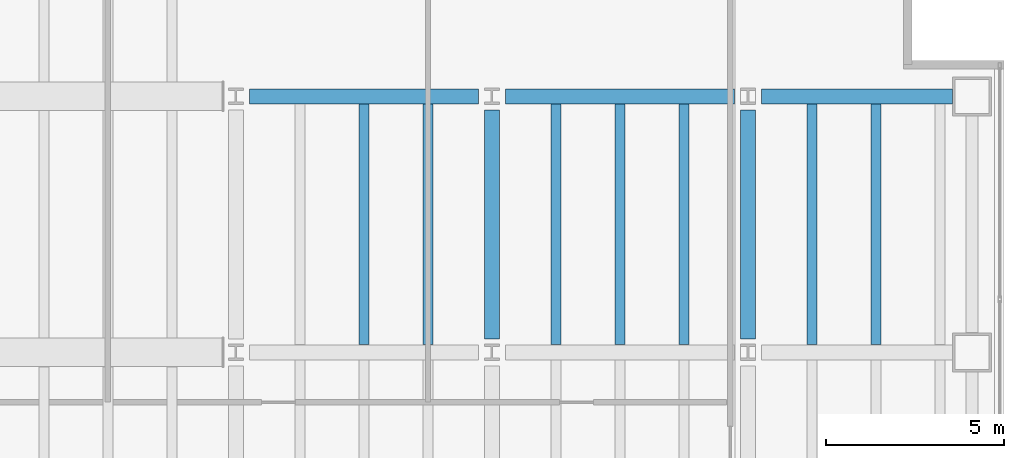
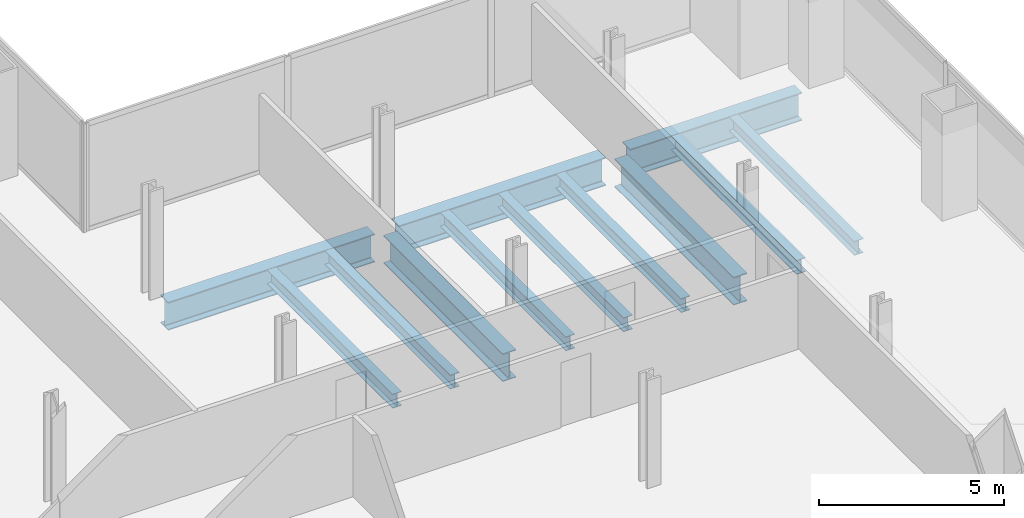
# One storey, part 11 of 24: 12 beams.
"""IFC4 building model written with IfcOpenShell, lengths in metres."""

import ifcopenshell
import ifcopenshell.guid

model = None  # the IFC model being written
_history = None  # IfcOwnerHistory: only IFC2X3 demands one
_inside = {}  # id of a spatial element -> (the spatial element, [elements in it])
_under = {}  # id of a project, library or spatial element -> (it, [spatial elements below it])
_declared = {}  # id of a project -> (the project, [libraries it declares])
_typed = {}  # id of a type object -> (the type object, [elements of that type])
_made_of = {}  # id of a material, layer set ... -> (it, [elements and type objects made of it])


def new_model(schema):
    """Start an empty IFC model of exactly this schema.

    Asked for "IFC4X3", IfcOpenShell would pick the latest addendum, in which some entities
    have other attributes; the version numbers below select the first issue.
    IFC2X3 requires an IfcOwnerHistory on every rooted entity: one is made here for all.
    """
    global model, _history
    if schema == "IFC4X3":
        model = ifcopenshell.file(schema_version=(4, 3, 0, 0))
    else:
        model = ifcopenshell.file(schema=schema)
    _inside.clear()
    _under.clear()
    _declared.clear()
    _typed.clear()
    _made_of.clear()
    _history = None
    if model.schema == "IFC2X3":
        org = make("IfcOrganization", Name="unknown")
        user = make(
            "IfcPersonAndOrganization",
            ThePerson=make("IfcPerson", FamilyName="unknown"),
            TheOrganization=org,
        )
        app = make(
            "IfcApplication",
            ApplicationDeveloper=org,
            Version="unknown",
            ApplicationFullName="unknown",
            ApplicationIdentifier="unknown",
        )
        _history = make(
            "IfcOwnerHistory",
            OwningUser=user,
            OwningApplication=app,
            ChangeAction="ADDED",
            CreationDate=0,
        )
    return model


def make(cls, **values):
    """One entity of the class cls with the attributes given. An attribute that is None is left unset."""
    return model.create_entity(
        cls, **{name: value for name, value in values.items() if value is not None}
    )


def rooted(cls, **values):
    """An entity with a GlobalId (a new one), such as an element, a storey or a relation."""
    return make(cls, GlobalId=ifcopenshell.guid.new(), OwnerHistory=_history, **values)


def si_unit(unit_type, name, prefix=None):
    """IfcSIUnit, for example si_unit("LENGTHUNIT", "METRE", prefix="MILLI")."""
    return make("IfcSIUnit", UnitType=unit_type, Prefix=prefix, Name=name)


def assignment(units):
    """IfcUnitAssignment: the units of a project."""
    return None if units is None else make("IfcUnitAssignment", Units=units)


def point(xyz):
    """IfcCartesianPoint."""
    return None if xyz is None else make("IfcCartesianPoint", Coordinates=xyz)


def direction(xyz):
    """IfcDirection."""
    return None if xyz is None else make("IfcDirection", DirectionRatios=xyz)


def frame(location, z_axis=None, x_axis=None):
    """IfcAxis2Placement3D, a coordinate frame: its origin and axes. An axis left out is left unset."""
    return make(
        "IfcAxis2Placement3D",
        Location=point(location),
        Axis=direction(z_axis),
        RefDirection=direction(x_axis),
    )


def frame_2d(location, x_axis=None):
    """IfcAxis2Placement2D, a coordinate frame in the plane: its origin and x axis."""
    return make(
        "IfcAxis2Placement2D", Location=point(location), RefDirection=direction(x_axis)
    )


def origin():
    """The frame at (0, 0, 0) with its axes left unset."""
    return frame((0.0, 0.0, 0.0))


def origin_2d():
    """The frame at (0, 0) in the plane with its x axis left unset."""
    return frame_2d((0.0, 0.0))


def place(relative_to, where):
    """IfcLocalPlacement: puts the frame where relative to a parent placement (None: the world)."""
    return make(
        "IfcLocalPlacement", PlacementRelTo=relative_to, RelativePlacement=where
    )


def context(
    kind, dimensions, precision=None, world=None, true_north=None, identifier=None
):
    """IfcGeometricRepresentationContext, for example the 3D "Model" context."""
    return make(
        "IfcGeometricRepresentationContext",
        ContextIdentifier=identifier,
        ContextType=kind,
        CoordinateSpaceDimension=dimensions,
        Precision=precision,
        WorldCoordinateSystem=world,
        TrueNorth=true_north,
    )


def subcontext(parent, identifier, kind, view, scale=None):
    """IfcGeometricRepresentationSubContext, for example "Body" below "Model"."""
    return make(
        "IfcGeometricRepresentationSubContext",
        ContextIdentifier=identifier,
        ContextType=kind,
        ParentContext=parent,
        TargetScale=scale,
        TargetView=view,
    )


def project(units=None, contexts=None):
    """IfcProject with its units and contexts."""
    return rooted(
        "IfcProject",
        Name="project",
        RepresentationContexts=contexts,
        UnitsInContext=assignment(units),
    )


def spatial(cls, under=None, at=None, **own):
    """A site, building, storey or space (cls), placed at a placement, below another one or the project."""
    s = rooted(cls, ObjectPlacement=at, **own)
    if under is not None:
        _under.setdefault(under.id(), (under, []))[1].append(s)
    return s


def profile(cls, at=None, kind="AREA", **sizes):
    """A parametric profile (cls). Its sizes go by their IFC names, for example OverallWidth=200.0."""
    return make(cls, ProfileType=kind, Position=at, **sizes)


def i_section(**sizes):
    """IfcIShapeProfileDef."""
    return profile("IfcIShapeProfileDef", **sizes)


def extrude(swept, where, along, depth):
    """IfcExtrudedAreaSolid: the profile swept, set in the frame where, extruded along a direction by depth."""
    return make(
        "IfcExtrudedAreaSolid",
        SweptArea=swept,
        Position=where,
        ExtrudedDirection=direction(along),
        Depth=depth,
    )


def shape(context_of_items, identifier, shape_type, items):
    """IfcShapeRepresentation: the items that make up one representation, for example the "Body"."""
    return make(
        "IfcShapeRepresentation",
        ContextOfItems=context_of_items,
        RepresentationIdentifier=identifier,
        RepresentationType=shape_type,
        Items=items,
    )


def material(Name=None, Category=None):
    """IfcMaterial."""
    return make("IfcMaterial", Name=Name, Category=Category)


def material_profile(
    of_material, cross_section, Name=None, Category=None, Priority=None
):
    """IfcMaterialProfile: a cross section and its material."""
    return make(
        "IfcMaterialProfile",
        Name=Name,
        Material=of_material,
        Profile=cross_section,
        Priority=Priority,
        Category=Category,
    )


def profile_set(profiles, Name=None, composite=None):
    """IfcMaterialProfileSet."""
    return make(
        "IfcMaterialProfileSet",
        Name=Name,
        MaterialProfiles=profiles,
        CompositeProfile=composite,
    )


def made_of(thing, what):
    """Note that an element or type object is made of a material, layer set ...; save() writes the relation."""
    if what is not None:
        _made_of.setdefault(what.id(), (what, []))[1].append(thing)
    return thing


def type_object(cls, material=None, **own):
    """A type object (cls), such as IfcWallType, which elements share."""
    return made_of(rooted(cls, **own), material)


def element(
    cls,
    number,
    at=None,
    inside=None,
    cuts=None,
    type_object=None,
    material=None,
    context=None,
    identifier="Body",
    shape_type=None,
    held_by="IfcProductDefinitionShape",
    body=None,
    shapes=None,
    **own,
):
    """One element of the class cls, such as IfcWall. Its Tag is "e" and its number.

    at: its placement. inside: the storey or other place that contains it. cuts: it is an
    opening in that element (IfcRelVoidsElement). A single representation is given by context,
    identifier, shape_type and body (its items); several are given by shapes. held_by: the class
    of the entity that holds the representations. save() writes the other relations.
    """
    e = rooted(cls, Tag="e%d" % number, ObjectPlacement=at, **own)
    if body is not None:
        shapes = [shape(context, identifier, shape_type, body)]
    if shapes is not None:
        e.Representation = make(held_by, Representations=shapes)
    if inside is not None:
        _inside.setdefault(inside.id(), (inside, []))[1].append(e)
    if cuts is not None:
        rooted(
            "IfcRelVoidsElement", RelatingBuildingElement=cuts, RelatedOpeningElement=e
        )
    if type_object is not None:
        _typed.setdefault(type_object.id(), (type_object, []))[1].append(e)
    return made_of(e, material)


def aggregate(whole, parts):
    """IfcRelAggregates: a whole, such as a stair, and the parts it consists of."""
    return rooted("IfcRelAggregates", RelatingObject=whole, RelatedObjects=parts)


def save(model, path):
    """Write the relations noted so far, then the file.

    IfcRelAggregates (storeys below a building ...), IfcRelContainedInSpatialStructure (elements
    in a storey), IfcRelDefinesByType, IfcRelAssociatesMaterial and IfcRelDeclares: one each for
    every whole, place, type object, material and project.
    """
    for whole, parts in _under.values():
        aggregate(whole, parts)
    for where, things in _inside.values():
        rooted(
            "IfcRelContainedInSpatialStructure",
            RelatedElements=things,
            RelatingStructure=where,
        )
    for kind, things in _typed.values():
        rooted("IfcRelDefinesByType", RelatedObjects=things, RelatingType=kind)
    for what, things in _made_of.values():
        rooted("IfcRelAssociatesMaterial", RelatedObjects=things, RelatingMaterial=what)
    for by, libraries in _declared.values():
        rooted("IfcRelDeclares", RelatingContext=by, RelatedDefinitions=libraries)
    model.write(path)


model = new_model("IFC4")

# Units and contexts
model_context = context("Model", 3, precision=1e-05, world=origin(), true_north=direction((0.0, 1.0)))
body_context = subcontext(model_context, "Body", "Model", "MODEL_VIEW")
ifc_project = project(units=[si_unit("LENGTHUNIT", "METRE"), si_unit("AREAUNIT", "SQUARE_METRE"), si_unit("VOLUMEUNIT", "CUBIC_METRE"), si_unit("PLANEANGLEUNIT", "RADIAN"), si_unit("MASSUNIT", "GRAM", prefix="KILO")], contexts=[model_context])

# Site, building, storey
site_placement = place(None, origin())
site = spatial("IfcSite", under=ifc_project, at=site_placement, CompositionType="ELEMENT")
building_placement = place(site_placement, origin())
building = spatial("IfcBuilding", under=site, at=building_placement, Name="Cobrela Telecom Tower", CompositionType="ELEMENT")
storey_placement = place(building_placement, frame((0.0, 0.0, 31.14990234375)))
storey = spatial("IfcBuildingStorey", under=building, at=storey_placement, Name="L07", CompositionType="ELEMENT", Elevation=31.14990234375)

# Beams
ifc_material = material(Name="Steel ASTM A992 Grade 50", Category="steel")
ifc_material_profile_1 = material_profile(ifc_material, i_section(OverallWidth=0.4189453125, OverallDepth=0.927001953125, WebThickness=0.019287109375, FlangeThickness=0.031982421875, FilletRadius=0.02392578125, at=origin_2d()), Name="W36X231")
ifc_profile_set_1 = profile_set([ifc_material_profile_1], Name="Steel ASTM A992 Grade 50")
beam_type_1 = type_object("IfcBeamType", Name="BM-GIRD-02", PredefinedType="USERDEFINED", material=ifc_profile_set_1)
for number, where, z_axis, x_axis, name in (
    (1, (29.179931640625, 21.60009765625, -0.743408203125), (1.0, 0.0, 0.0), (0.0, 1.0, 0.0), "L07 Primary Girder X12"),
    (2, (36.3798828125, 21.60009765625, -0.743408203125), (1.0, 0.0, 0.0), (0.0, 1.0, 0.0), "L07 Primary Girder X13"),
):
    element("IfcBeam", number, at=place(storey_placement, frame(where, z_axis=z_axis, x_axis=x_axis)), inside=storey, type_object=beam_type_1, Name=name, ObjectType="GIRDER", PredefinedType="USERDEFINED", context=body_context, shape_type="SweptSolid", body=[
        extrude(i_section(OverallWidth=0.4189453125, OverallDepth=0.927001953125, WebThickness=0.019287109375, FlangeThickness=0.031982421875, FilletRadius=0.02392578125, at=origin_2d()), origin(), (0.0, 0.0, 1.0), 6.440185546875),
    ])
beam_placement = place(storey_placement, frame((43.580078125, 21.60009765625, -0.743408203125), z_axis=(1.0, 0.0, 0.0), x_axis=(0.0, 1.0, 0.0)))
element("IfcBeam", 3, at=beam_placement, inside=storey, type_object=beam_type_1, Name="L07 Primary Girder X14", ObjectType="GIRDER", PredefinedType="USERDEFINED", context=body_context, shape_type="SweptSolid", body=[
    extrude(i_section(OverallWidth=0.4189453125, OverallDepth=0.927001953125, WebThickness=0.019287109375, FlangeThickness=0.031982421875, FilletRadius=0.02392578125, at=origin_2d()), origin(), (0.0, 0.0, 1.0), 5.364990234375),
])
for number, where, z_axis, x_axis, name in (
    (4, (36.0, 14.780029296875, -0.743408203125), (0.0, 1.0, 0.0), (-1.0, 0.0, 0.0), "L07 Primary Girder Y32"),
    (5, (43.199951171875, 14.780029296875, -0.743408203125), (0.0, 1.0, 0.0), (-1.0, 0.0, 0.0), "L07 Primary Girder Y35"),
):
    element("IfcBeam", number, at=place(storey_placement, frame(where, z_axis=z_axis, x_axis=x_axis)), inside=storey, type_object=beam_type_1, Name=name, ObjectType="GIRDER", PredefinedType="USERDEFINED", context=body_context, shape_type="SweptSolid", body=[
        extrude(i_section(OverallWidth=0.4189453125, OverallDepth=0.927001953125, WebThickness=0.019287109375, FlangeThickness=0.031982421875, FilletRadius=0.02392578125, at=origin_2d()), origin(), (0.0, 0.0, 1.0), 6.43994140625),
    ])
ifc_material_profile_2 = material_profile(ifc_material, i_section(OverallWidth=0.281982421875, OverallDepth=0.467041015625, WebThickness=0.01220703125, FlangeThickness=0.01953125, FilletRadius=0.012939453125, at=origin_2d()), Name="W18X86")
ifc_profile_set_2 = profile_set([ifc_material_profile_2], Name="Steel ASTM A992 Grade 50")
beam_type_2 = type_object("IfcBeamType", Name="BM-JOIST-02", PredefinedType="JOIST", material=ifc_profile_set_2)
for number, where, z_axis, x_axis, name in (
    (6, (32.39990234375, 14.614501953125, -0.513427734375), (0.0, 1.0, 0.0), (-1.0, 0.0, 0.0), "L07 Secondary Composite Floor Beam J46"),
    (7, (34.199951171875, 14.614501953125, -0.513427734375), (0.0, 1.0, 0.0), (-1.0, 0.0, 0.0), "L07 Secondary Composite Floor Beam J49"),
    (8, (37.800048828125, 14.614501953125, -0.513427734375), (0.0, 1.0, 0.0), (-1.0, 0.0, 0.0), "L07 Secondary Composite Floor Beam J52"),
    (9, (39.60009765625, 14.614501953125, -0.513427734375), (0.0, 1.0, 0.0), (-1.0, 0.0, 0.0), "L07 Secondary Composite Floor Beam J55"),
    (10, (41.39990234375, 14.614501953125, -0.513427734375), (0.0, 1.0, 0.0), (-1.0, 0.0, 0.0), "L07 Secondary Composite Floor Beam J58"),
    (11, (45.0, 14.614501953125, -0.513427734375), (0.0, 1.0, 0.0), (-1.0, 0.0, 0.0), "L07 Secondary Composite Floor Beam J60"),
    (12, (46.800048828125, 14.614501953125, -0.513427734375), (0.0, 1.0, 0.0), (-1.0, 0.0, 0.0), "L07 Secondary Composite Floor Beam J62"),
):
    element("IfcBeam", number, at=place(storey_placement, frame(where, z_axis=z_axis, x_axis=x_axis)), inside=storey, type_object=beam_type_2, Name=name, PredefinedType="JOIST", context=body_context, shape_type="SweptSolid", body=[
        extrude(i_section(OverallWidth=0.281982421875, OverallDepth=0.467041015625, WebThickness=0.01220703125, FlangeThickness=0.01953125, FilletRadius=0.012939453125, at=origin_2d()), origin(), (0.0, 0.0, 1.0), 6.77099609375),
    ])

save(model, "model.ifc")
